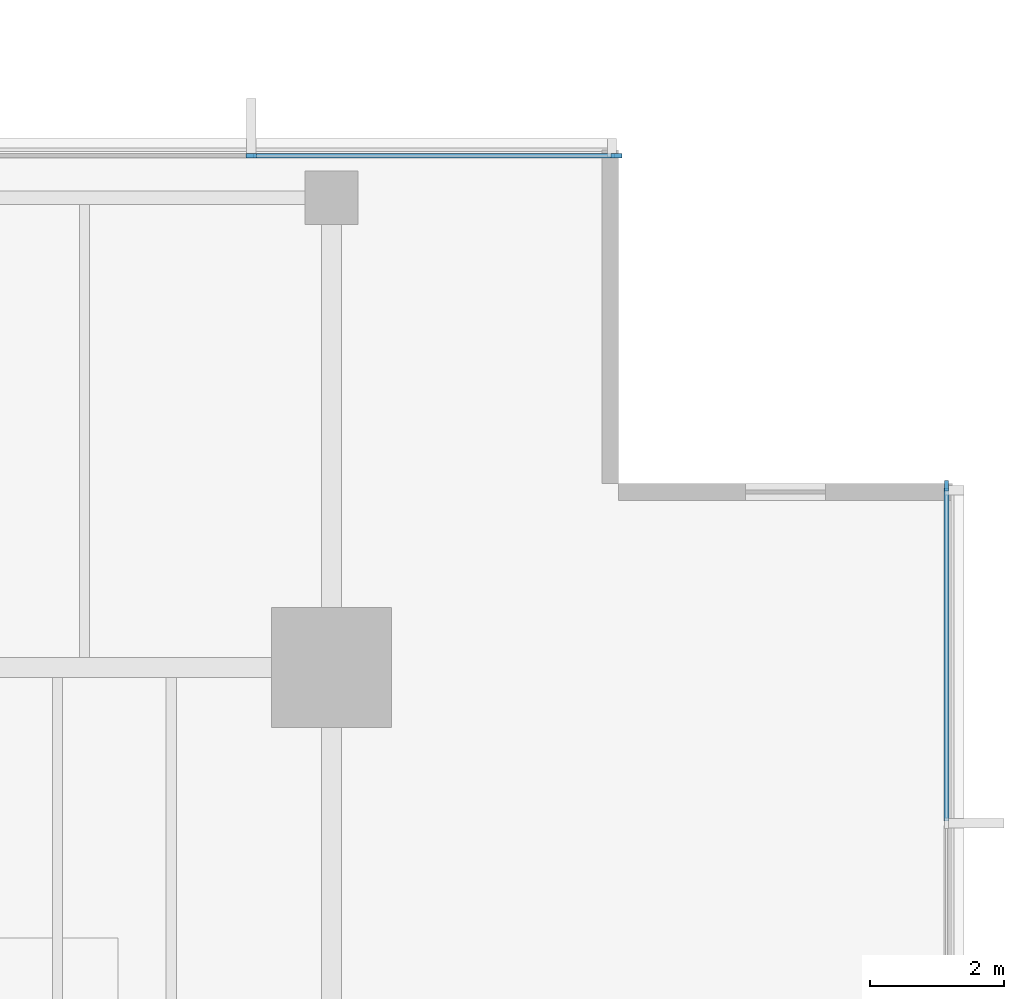
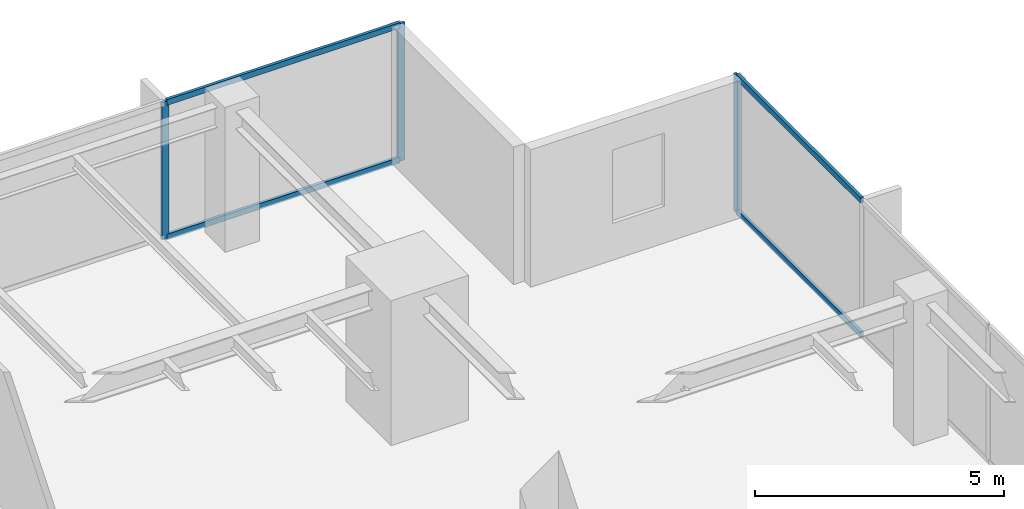
# One storey, part 6 of 14: 7 members, 2 elements without a shape of their own.
"""IFC4 building model written with IfcOpenShell, lengths in metres."""

from ifc_helpers import new_model, si_unit, direction, frame, origin, origin_2d, place, context, subcontext, project, spatial, rectangle, extrude, material, layer, layer_set, material_profile, profile_set, type_object, element, aggregate, save


model = new_model("IFC4")

# Units and contexts
model_context = context("Model", 3, precision=1e-05, world=origin(), true_north=direction((0.0, 1.0)))
body_context = subcontext(model_context, "Body", "Model", "MODEL_VIEW")
ifc_project = project(units=[si_unit("LENGTHUNIT", "METRE"), si_unit("AREAUNIT", "SQUARE_METRE"), si_unit("VOLUMEUNIT", "CUBIC_METRE"), si_unit("PLANEANGLEUNIT", "RADIAN"), si_unit("MASSUNIT", "GRAM", prefix="KILO")], contexts=[model_context])

# Site, building, storey
site_placement = place(None, origin())
site = spatial("IfcSite", under=ifc_project, at=site_placement, CompositionType="ELEMENT")
building_placement = place(site_placement, origin())
building = spatial("IfcBuilding", under=site, at=building_placement, Name="Kinhvarn Gate Tower", CompositionType="ELEMENT")
storey_placement = place(building_placement, frame((0.0, 0.0, 195.14990234375)))
storey = spatial("IfcBuildingStorey", under=building, at=storey_placement, Name="L51", CompositionType="ELEMENT", Elevation=195.14990234375)

# Curtain wall, members
ifc_material = material(Name="Anodised aluminium AW-6063", Category="aluminium")
ifc_layer = layer(ifc_material, 0.179931640625)
ifc_layer_set = layer_set([ifc_layer], Name="Anodised aluminium AW-6063")
curtain_wall_type = type_object("IfcCurtainWallType", Name="CW-SYS-3", PredefinedType="NOTDEFINED", material=ifc_layer_set)
curtain_wall_1_placement = place(storey_placement, origin())
curtain_wall_1 = element("IfcCurtainWall", 1, at=curtain_wall_1_placement, inside=storey, type_object=curtain_wall_type, Name="Curtain Wall CW3 (L51)", PredefinedType="NOTDEFINED")
ifc_material_profile_1 = material_profile(ifc_material, rectangle(XDim=0.06494140625, YDim=0.159912109375, at=origin_2d()), Name="ALU 65x160")
ifc_profile_set_1 = profile_set([ifc_material_profile_1], Name="Anodised aluminium AW-6063")
member_type_1 = type_object("IfcMemberType", Name="CW-MUL-160", PredefinedType="MULLION", material=ifc_profile_set_1)
member_1_placement = place(storey_placement, frame((42.467529296875, 45.409912109375, 0.0), z_axis=(0.0, 0.0, 1.0), x_axis=(0.0, -1.0, 0.0)))
member_1 = element("IfcMember", 2, at=member_1_placement, type_object=member_type_1, Name="CW3 mullion 1", PredefinedType="MULLION", context=body_context, shape_type="SweptSolid", body=[
    extrude(rectangle(XDim=0.06494140625, YDim=0.159912109375, at=origin_2d()), origin(), (0.0, 0.0, 1.0), 3.3701171875),
])
member_2_placement = place(storey_placement, frame((37.0, 45.409912109375, 0.0), z_axis=(0.0, 0.0, 1.0), x_axis=(0.0, -1.0, 0.0)))
member_2 = element("IfcMember", 3, at=member_2_placement, type_object=member_type_1, Name="CW3 mullion 2", PredefinedType="MULLION", context=body_context, shape_type="SweptSolid", body=[
    extrude(rectangle(XDim=0.06494140625, YDim=0.159912109375, at=origin_2d()), origin(), (0.0, 0.0, 1.0), 3.3701171875),
])

# Curtain wall, member
curtain_wall_2_placement = place(storey_placement, origin())
curtain_wall_2 = element("IfcCurtainWall", 4, at=curtain_wall_2_placement, inside=storey, type_object=curtain_wall_type, Name="Curtain Wall CW3 (L51)", PredefinedType="NOTDEFINED")
member_3_placement = place(storey_placement, frame((47.409912109375, 40.467529296875, 0.0), z_axis=(0.0, 0.0, 1.0), x_axis=(-1.0, 0.0, 0.0)))
member_3 = element("IfcMember", 5, at=member_3_placement, type_object=member_type_1, Name="CW3 mullion 7", PredefinedType="MULLION", context=body_context, shape_type="SweptSolid", body=[
    extrude(rectangle(XDim=0.06494140625, YDim=0.159912109375, at=origin_2d()), origin(), (0.0, 0.0, 1.0), 3.3701171875),
])

# Member
ifc_material_profile_2 = material_profile(ifc_material, rectangle(XDim=0.070068359375, YDim=0.139892578125, at=origin_2d()), Name="ALU 70x140")
ifc_profile_set_2 = profile_set([ifc_material_profile_2], Name="Anodised aluminium AW-6063")
member_type_2 = type_object("IfcMemberType", Name="CW-TRN-140", PredefinedType="USERDEFINED", material=ifc_profile_set_2)
member_4_placement = place(storey_placement, frame((42.43505859375, 45.409912109375, 0.03515625), z_axis=(-1.0, 0.0, 0.0), x_axis=(0.0, -1.0, 0.0)))
member_4 = element("IfcMember", 6, at=member_4_placement, type_object=member_type_2, Name="CW3 transom 1.1", ObjectType="TRANSOM", PredefinedType="USERDEFINED", context=body_context, shape_type="SweptSolid", body=[
    extrude(rectangle(XDim=0.070068359375, YDim=0.139892578125, at=origin_2d()), origin(), (0.0, 0.0, 1.0), 5.402587890625),
])

member_5_placement = place(storey_placement, frame((42.43505859375, 45.409912109375, 3.335205078125), z_axis=(-1.0, 0.0, 0.0), x_axis=(0.0, -1.0, 0.0)))
member_5 = element("IfcMember", 7, at=member_5_placement, type_object=member_type_2, Name="CW3 transom 1.2", ObjectType="TRANSOM", PredefinedType="USERDEFINED", context=body_context, shape_type="SweptSolid", body=[
    extrude(rectangle(XDim=0.070068359375, YDim=0.139892578125, at=origin_2d()), origin(), (0.0, 0.0, 1.0), 5.402587890625),
])

aggregate(curtain_wall_1, [member_1, member_2, member_4, member_5])

member_6_placement = place(storey_placement, frame((47.409912109375, 35.44921875, 0.03515625), z_axis=(0.0, 1.0, 0.0), x_axis=(-1.0, 0.0, 0.0)))
member_6 = element("IfcMember", 8, at=member_6_placement, type_object=member_type_2, Name="CW3 transom 6.1", ObjectType="TRANSOM", PredefinedType="USERDEFINED", context=body_context, shape_type="SweptSolid", body=[
    extrude(rectangle(XDim=0.070068359375, YDim=0.139892578125, at=origin_2d()), origin(), (0.0, 0.0, 1.0), 4.98583984375),
])

member_7_placement = place(storey_placement, frame((47.409912109375, 35.44921875, 3.335205078125), z_axis=(0.0, 1.0, 0.0), x_axis=(-1.0, 0.0, 0.0)))
member_7 = element("IfcMember", 9, at=member_7_placement, type_object=member_type_2, Name="CW3 transom 6.2", ObjectType="TRANSOM", PredefinedType="USERDEFINED", context=body_context, shape_type="SweptSolid", body=[
    extrude(rectangle(XDim=0.070068359375, YDim=0.139892578125, at=origin_2d()), origin(), (0.0, 0.0, 1.0), 4.98583984375),
])

aggregate(curtain_wall_2, [member_3, member_6, member_7])

save(model, "model.ifc")
